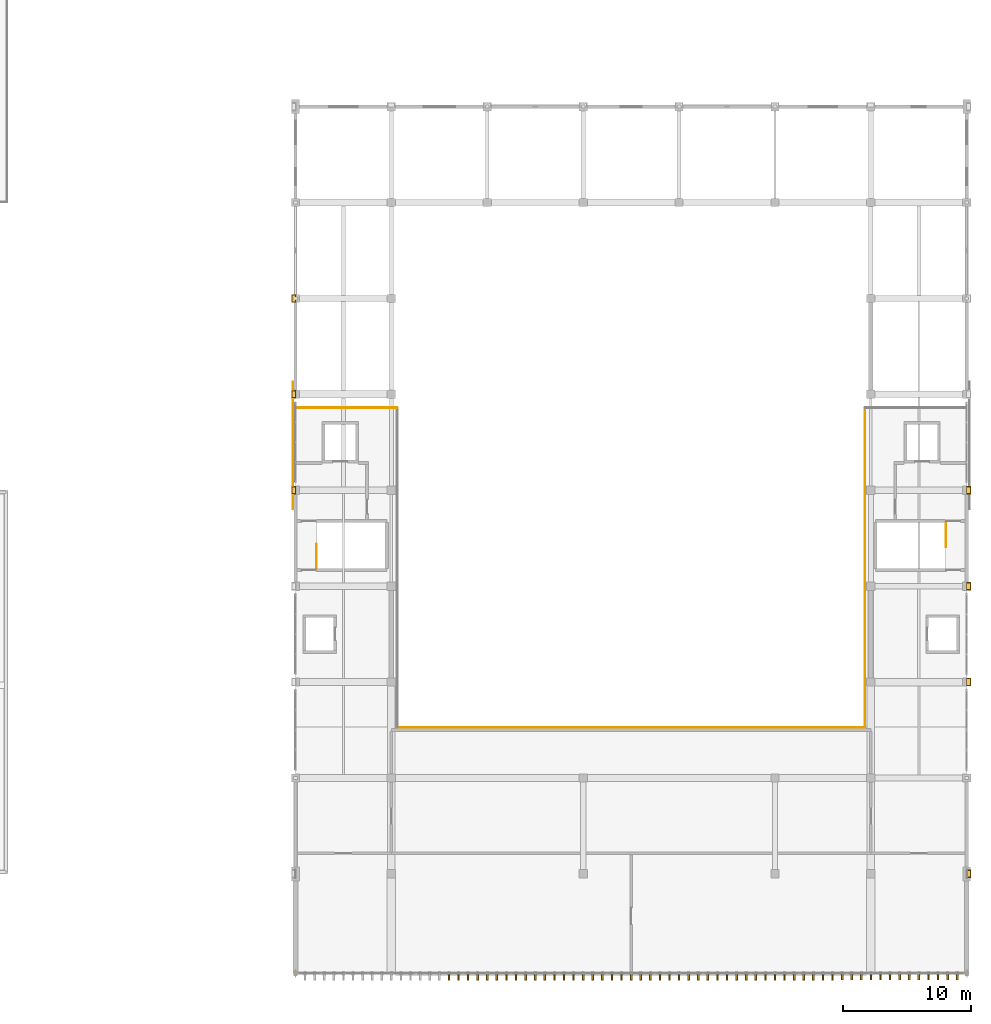
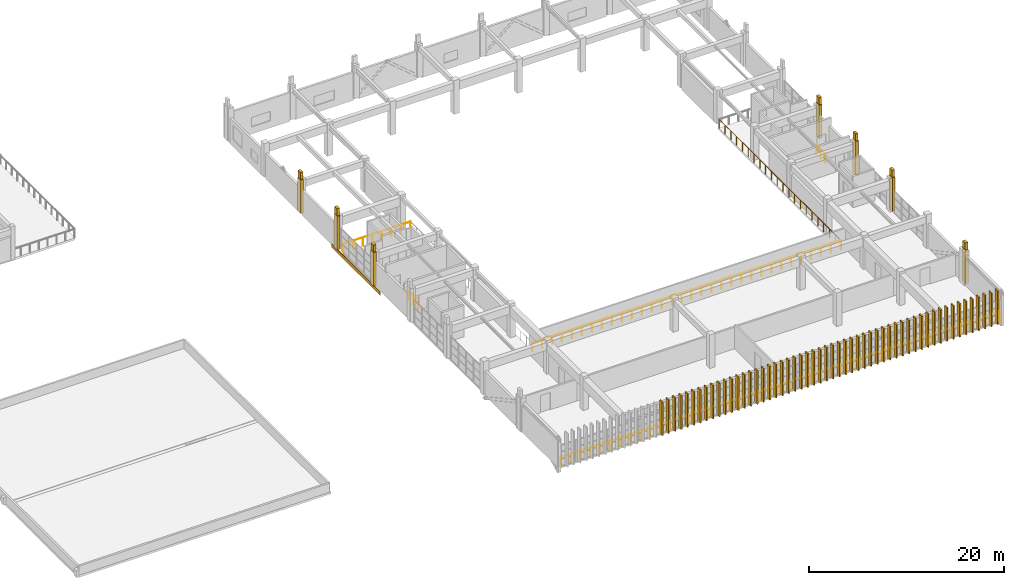
# One storey, part 46 of 51: 69 coverings, 7 railings.
"""IFC4 building model written with IfcOpenShell, lengths in metres."""

from ifc_helpers import new_model, si_unit, direction, frame, origin, origin_2d, place, context, subcontext, project, spatial, rectangle, circle, extrude, material, layer, layer_set, type_object, element, save


model = new_model("IFC4")

# Units and contexts
model_context = context("Model", 3, precision=1e-05, world=origin(), true_north=direction((0.0, 1.0)))
body_context = subcontext(model_context, "Body", "Model", "MODEL_VIEW")
ifc_project = project(units=[si_unit("LENGTHUNIT", "METRE"), si_unit("AREAUNIT", "SQUARE_METRE"), si_unit("VOLUMEUNIT", "CUBIC_METRE"), si_unit("PLANEANGLEUNIT", "RADIAN"), si_unit("MASSUNIT", "GRAM", prefix="KILO")], contexts=[model_context])

# Site, building, storey
site_placement = place(None, origin())
site = spatial("IfcSite", under=ifc_project, at=site_placement, CompositionType="ELEMENT")
building_placement = place(site_placement, origin())
building = spatial("IfcBuilding", under=site, at=building_placement, Name="Qasida Concert Hall", CompositionType="ELEMENT")
storey_placement = place(building_placement, frame((0.0, 0.0, 21.0)))
storey = spatial("IfcBuildingStorey", under=building, at=storey_placement, Name="L05", CompositionType="ELEMENT", Elevation=21.0)

# Coverings
ifc_material_1 = material(Name="Glazed Levantine geometric terracotta spandrel relief", Category="masonry")
ifc_layer_1 = layer(ifc_material_1, 0.050048828125, Name="Glazed Levantine geometric terracotta spandrel relief")
ifc_layer_set_1 = layer_set([ifc_layer_1], Name="Glazed Levantine geometric terracotta spandrel relief")
covering_type_1 = type_object("IfcCoveringType", Name="CV-CL-1", PredefinedType="CLADDING", material=ifc_layer_set_1)
covering_1_placement = place(storey_placement, frame((52.300048828125, 56.0, -0.47509765625), z_axis=(0.0, 0.0, 1.0), x_axis=(1.0, 0.0, 0.0)))
element("IfcCovering", 1, at=covering_1_placement, inside=storey, type_object=covering_type_1, Name="L05 terracotta spandrel frieze W05", PredefinedType="CLADDING", context=body_context, shape_type="SweptSolid", body=[
    extrude(rectangle(XDim=0.050048828125, YDim=10.0, at=origin_2d()), origin(), (0.0, 0.0, 1.0), 0.449951171875),
])
ifc_material_2 = material(Name="Fluted ochre Lebanese limestone and patinated bronze fin", Category="masonry")
ifc_layer_2 = layer(ifc_material_2, 0.52001953125, Name="Fluted ochre Lebanese limestone and patinated bronze fin")
ifc_layer_set_2 = layer_set([ifc_layer_2], Name="Fluted ochre Lebanese limestone and patinated bronze fin")
covering_type_2 = type_object("IfcCoveringType", Name="CV-FIN-520", PredefinedType="CLADDING", material=ifc_layer_set_2)
for number, where, z_axis, x_axis, name in (
    (2, (64.5, 14.4599609375, 0.0), (0.0, 0.0, 1.0), (1.0, 0.0, 0.0), "L05 fluted facade fin FN-016"),
    (3, (65.25, 14.4599609375, 0.0), (0.0, 0.0, 1.0), (1.0, 0.0, 0.0), "L05 fluted facade fin FN-017"),
    (4, (66.0, 14.4599609375, 0.0), (0.0, 0.0, 1.0), (1.0, 0.0, 0.0), "L05 fluted facade fin FN-018"),
    (5, (66.75, 14.4599609375, 0.0), (0.0, 0.0, 1.0), (1.0, 0.0, 0.0), "L05 fluted facade fin FN-019"),
    (6, (67.5, 14.4599609375, 0.0), (0.0, 0.0, 1.0), (1.0, 0.0, 0.0), "L05 fluted facade fin FN-020"),
    (7, (68.25, 14.4599609375, 0.0), (0.0, 0.0, 1.0), (1.0, 0.0, 0.0), "L05 fluted facade fin FN-021"),
    (8, (69.0, 14.4599609375, 0.0), (0.0, 0.0, 1.0), (1.0, 0.0, 0.0), "L05 fluted facade fin FN-022"),
    (9, (69.75, 14.4599609375, 0.0), (0.0, 0.0, 1.0), (1.0, 0.0, 0.0), "L05 fluted facade fin FN-023"),
    (10, (70.5, 14.4599609375, 0.0), (0.0, 0.0, 1.0), (1.0, 0.0, 0.0), "L05 fluted facade fin FN-024"),
    (11, (71.25, 14.4599609375, 0.0), (0.0, 0.0, 1.0), (1.0, 0.0, 0.0), "L05 fluted facade fin FN-025"),
    (12, (72.0, 14.4599609375, 0.0), (0.0, 0.0, 1.0), (1.0, 0.0, 0.0), "L05 fluted facade fin FN-026"),
    (13, (72.75, 14.4599609375, 0.0), (0.0, 0.0, 1.0), (1.0, 0.0, 0.0), "L05 fluted facade fin FN-027"),
    (14, (73.5, 14.4599609375, 0.0), (0.0, 0.0, 1.0), (1.0, 0.0, 0.0), "L05 fluted facade fin FN-028"),
    (15, (74.25, 14.4599609375, 0.0), (0.0, 0.0, 1.0), (1.0, 0.0, 0.0), "L05 fluted facade fin FN-029"),
    (16, (75.0, 14.4599609375, 0.0), (0.0, 0.0, 1.0), (1.0, 0.0, 0.0), "L05 fluted facade fin FN-030"),
    (17, (75.75, 14.4599609375, 0.0), (0.0, 0.0, 1.0), (1.0, 0.0, 0.0), "L05 fluted facade fin FN-031"),
    (18, (76.5, 14.4599609375, 0.0), (0.0, 0.0, 1.0), (1.0, 0.0, 0.0), "L05 fluted facade fin FN-032"),
    (19, (77.25, 14.4599609375, 0.0), (0.0, 0.0, 1.0), (1.0, 0.0, 0.0), "L05 fluted facade fin FN-033"),
    (20, (78.0, 14.4599609375, 0.0), (0.0, 0.0, 1.0), (1.0, 0.0, 0.0), "L05 fluted facade fin FN-034"),
    (21, (78.75, 14.4599609375, 0.0), (0.0, 0.0, 1.0), (1.0, 0.0, 0.0), "L05 fluted facade fin FN-035"),
    (22, (79.5, 14.4599609375, 0.0), (0.0, 0.0, 1.0), (1.0, 0.0, 0.0), "L05 fluted facade fin FN-036"),
    (23, (80.25, 14.4599609375, 0.0), (0.0, 0.0, 1.0), (1.0, 0.0, 0.0), "L05 fluted facade fin FN-037"),
    (24, (81.0, 14.4599609375, 0.0), (0.0, 0.0, 1.0), (1.0, 0.0, 0.0), "L05 fluted facade fin FN-038"),
    (25, (81.75, 14.4599609375, 0.0), (0.0, 0.0, 1.0), (1.0, 0.0, 0.0), "L05 fluted facade fin FN-039"),
    (26, (82.5, 14.4599609375, 0.0), (0.0, 0.0, 1.0), (1.0, 0.0, 0.0), "L05 fluted facade fin FN-040"),
    (27, (83.25, 14.4599609375, 0.0), (0.0, 0.0, 1.0), (1.0, 0.0, 0.0), "L05 fluted facade fin FN-041"),
    (28, (84.0, 14.4599609375, 0.0), (0.0, 0.0, 1.0), (1.0, 0.0, 0.0), "L05 fluted facade fin FN-042"),
    (29, (84.75, 14.4599609375, 0.0), (0.0, 0.0, 1.0), (1.0, 0.0, 0.0), "L05 fluted facade fin FN-043"),
    (30, (85.5, 14.4599609375, 0.0), (0.0, 0.0, 1.0), (1.0, 0.0, 0.0), "L05 fluted facade fin FN-044"),
    (31, (86.25, 14.4599609375, 0.0), (0.0, 0.0, 1.0), (1.0, 0.0, 0.0), "L05 fluted facade fin FN-045"),
    (32, (87.0, 14.4599609375, 0.0), (0.0, 0.0, 1.0), (1.0, 0.0, 0.0), "L05 fluted facade fin FN-046"),
    (33, (87.75, 14.4599609375, 0.0), (0.0, 0.0, 1.0), (1.0, 0.0, 0.0), "L05 fluted facade fin FN-047"),
    (34, (88.5, 14.4599609375, 0.0), (0.0, 0.0, 1.0), (1.0, 0.0, 0.0), "L05 fluted facade fin FN-048"),
    (35, (89.25, 14.4599609375, 0.0), (0.0, 0.0, 1.0), (1.0, 0.0, 0.0), "L05 fluted facade fin FN-049"),
    (36, (90.0, 14.4599609375, 0.0), (0.0, 0.0, 1.0), (1.0, 0.0, 0.0), "L05 fluted facade fin FN-050"),
    (37, (90.75, 14.4599609375, 0.0), (0.0, 0.0, 1.0), (1.0, 0.0, 0.0), "L05 fluted facade fin FN-051"),
    (38, (91.5, 14.4599609375, 0.0), (0.0, 0.0, 1.0), (1.0, 0.0, 0.0), "L05 fluted facade fin FN-052"),
    (39, (92.25, 14.4599609375, 0.0), (0.0, 0.0, 1.0), (1.0, 0.0, 0.0), "L05 fluted facade fin FN-053"),
    (40, (93.0, 14.4599609375, 0.0), (0.0, 0.0, 1.0), (1.0, 0.0, 0.0), "L05 fluted facade fin FN-054"),
    (41, (93.75, 14.4599609375, 0.0), (0.0, 0.0, 1.0), (1.0, 0.0, 0.0), "L05 fluted facade fin FN-055"),
    (42, (94.5, 14.4599609375, 0.0), (0.0, 0.0, 1.0), (1.0, 0.0, 0.0), "L05 fluted facade fin FN-056"),
    (43, (95.25, 14.4599609375, 0.0), (0.0, 0.0, 1.0), (1.0, 0.0, 0.0), "L05 fluted facade fin FN-057"),
    (44, (96.0, 14.4599609375, 0.0), (0.0, 0.0, 1.0), (1.0, 0.0, 0.0), "L05 fluted facade fin FN-058"),
    (45, (96.75, 14.4599609375, 0.0), (0.0, 0.0, 1.0), (1.0, 0.0, 0.0), "L05 fluted facade fin FN-059"),
    (46, (97.5, 14.4599609375, 0.0), (0.0, 0.0, 1.0), (1.0, 0.0, 0.0), "L05 fluted facade fin FN-060"),
    (47, (98.25, 14.4599609375, 0.0), (0.0, 0.0, 1.0), (1.0, 0.0, 0.0), "L05 fluted facade fin FN-061"),
    (48, (99.0, 14.4599609375, 0.0), (0.0, 0.0, 1.0), (1.0, 0.0, 0.0), "L05 fluted facade fin FN-062"),
    (49, (99.75, 14.4599609375, 0.0), (0.0, 0.0, 1.0), (1.0, 0.0, 0.0), "L05 fluted facade fin FN-063"),
    (50, (100.5, 14.4599609375, 0.0), (0.0, 0.0, 1.0), (1.0, 0.0, 0.0), "L05 fluted facade fin FN-064"),
    (51, (101.25, 14.4599609375, 0.0), (0.0, 0.0, 1.0), (1.0, 0.0, 0.0), "L05 fluted facade fin FN-065"),
    (52, (102.0, 14.4599609375, 0.0), (0.0, 0.0, 1.0), (1.0, 0.0, 0.0), "L05 fluted facade fin FN-066"),
    (53, (102.75, 14.4599609375, 0.0), (0.0, 0.0, 1.0), (1.0, 0.0, 0.0), "L05 fluted facade fin FN-067"),
    (54, (103.5, 14.4599609375, 0.0), (0.0, 0.0, 1.0), (1.0, 0.0, 0.0), "L05 fluted facade fin FN-068"),
    (55, (104.25, 14.4599609375, 0.0), (0.0, 0.0, 1.0), (1.0, 0.0, 0.0), "L05 fluted facade fin FN-069"),
):
    element("IfcCovering", number, at=place(storey_placement, frame(where, z_axis=z_axis, x_axis=x_axis)), inside=storey, type_object=covering_type_2, Name=name, PredefinedType="CLADDING", context=body_context, shape_type="SweptSolid", body=[
        extrude(rectangle(XDim=0.139892578125, YDim=0.52001953125, at=origin_2d()), origin(), (0.0, 0.0, 1.0), 4.199951171875),
    ])
ifc_material_3 = material(Name="Projecting fluted Lebanese limestone Art Deco pilaster", Category="masonry")
ifc_layer_3 = layer(ifc_material_3, 0.35009765625, Name="Projecting fluted Lebanese limestone Art Deco pilaster")
ifc_layer_set_3 = layer_set([ifc_layer_3], Name="Projecting fluted Lebanese limestone Art Deco pilaster")
covering_type_3 = type_object("IfcCoveringType", Name="CV-PIL-650", PredefinedType="CLADDING", material=ifc_layer_set_3)
covering_2_placement = place(storey_placement, frame((105.135009765625, 22.5, 0.0), z_axis=(0.0, 0.0, 1.0), x_axis=(1.0, 0.0, 0.0)))
element("IfcCovering", 56, at=covering_2_placement, inside=storey, type_object=covering_type_3, Name="L05 fluted limestone pilaster 0013", PredefinedType="CLADDING", context=body_context, shape_type="SweptSolid", body=[
    extrude(rectangle(XDim=0.35009765625, YDim=0.64990234375, at=origin_2d()), origin(), (0.0, 0.0, 1.0), 4.199951171875),
])
covering_3_placement = place(storey_placement, frame((105.135009765625, 22.5, 4.199951171875), z_axis=(0.0, 0.0, 1.0), x_axis=(1.0, 0.0, 0.0)))
element("IfcCovering", 57, at=covering_3_placement, inside=storey, type_object=covering_type_3, Name="Stepped Art Deco pier finial 0014", PredefinedType="CLADDING", context=body_context, shape_type="SweptSolid", body=[
    extrude(rectangle(XDim=0.300048828125, YDim=0.52001953125, at=origin_2d()), origin(), (0.0, 0.0, 1.0), 0.89990234375),
])
covering_4_placement = place(storey_placement, frame((105.135009765625, 37.5, 0.0), z_axis=(0.0, 0.0, 1.0), x_axis=(1.0, 0.0, 0.0)))
element("IfcCovering", 58, at=covering_4_placement, inside=storey, type_object=covering_type_3, Name="L05 fluted limestone pilaster 0027", PredefinedType="CLADDING", context=body_context, shape_type="SweptSolid", body=[
    extrude(rectangle(XDim=0.35009765625, YDim=0.64990234375, at=origin_2d()), origin(), (0.0, 0.0, 1.0), 4.199951171875),
])
covering_5_placement = place(storey_placement, frame((105.135009765625, 37.5, 4.199951171875), z_axis=(0.0, 0.0, 1.0), x_axis=(1.0, 0.0, 0.0)))
element("IfcCovering", 59, at=covering_5_placement, inside=storey, type_object=covering_type_3, Name="Stepped Art Deco pier finial 0028", PredefinedType="CLADDING", context=body_context, shape_type="SweptSolid", body=[
    extrude(rectangle(XDim=0.300048828125, YDim=0.52001953125, at=origin_2d()), origin(), (0.0, 0.0, 1.0), 0.89990234375),
])
covering_6_placement = place(storey_placement, frame((105.135009765625, 45.0, 0.0), z_axis=(0.0, 0.0, 1.0), x_axis=(1.0, 0.0, 0.0)))
element("IfcCovering", 60, at=covering_6_placement, inside=storey, type_object=covering_type_3, Name="L05 fluted limestone pilaster 0041", PredefinedType="CLADDING", context=body_context, shape_type="SweptSolid", body=[
    extrude(rectangle(XDim=0.35009765625, YDim=0.64990234375, at=origin_2d()), origin(), (0.0, 0.0, 1.0), 4.199951171875),
])
covering_7_placement = place(storey_placement, frame((105.135009765625, 45.0, 4.199951171875), z_axis=(0.0, 0.0, 1.0), x_axis=(1.0, 0.0, 0.0)))
element("IfcCovering", 61, at=covering_7_placement, inside=storey, type_object=covering_type_3, Name="Stepped Art Deco pier finial 0042", PredefinedType="CLADDING", context=body_context, shape_type="SweptSolid", body=[
    extrude(rectangle(XDim=0.300048828125, YDim=0.52001953125, at=origin_2d()), origin(), (0.0, 0.0, 1.0), 0.89990234375),
])
covering_8_placement = place(storey_placement, frame((52.364990234375, 52.5, 0.0), z_axis=(0.0, 0.0, 1.0), x_axis=(1.0, 0.0, 0.0)))
element("IfcCovering", 62, at=covering_8_placement, inside=storey, type_object=covering_type_3, Name="L05 fluted limestone pilaster 0048", PredefinedType="CLADDING", context=body_context, shape_type="SweptSolid", body=[
    extrude(rectangle(XDim=0.35009765625, YDim=0.64990234375, at=origin_2d()), origin(), (0.0, 0.0, 1.0), 4.199951171875),
])
covering_9_placement = place(storey_placement, frame((52.364990234375, 52.5, 4.199951171875), z_axis=(0.0, 0.0, 1.0), x_axis=(1.0, 0.0, 0.0)))
element("IfcCovering", 63, at=covering_9_placement, inside=storey, type_object=covering_type_3, Name="Stepped Art Deco pier finial 0049", PredefinedType="CLADDING", context=body_context, shape_type="SweptSolid", body=[
    extrude(rectangle(XDim=0.300048828125, YDim=0.52001953125, at=origin_2d()), origin(), (0.0, 0.0, 1.0), 0.89990234375),
])
covering_10_placement = place(storey_placement, frame((105.135009765625, 52.5, 0.0), z_axis=(0.0, 0.0, 1.0), x_axis=(1.0, 0.0, 0.0)))
element("IfcCovering", 64, at=covering_10_placement, inside=storey, type_object=covering_type_3, Name="L05 fluted limestone pilaster 0055", PredefinedType="CLADDING", context=body_context, shape_type="SweptSolid", body=[
    extrude(rectangle(XDim=0.35009765625, YDim=0.64990234375, at=origin_2d()), origin(), (0.0, 0.0, 1.0), 4.199951171875),
])
covering_11_placement = place(storey_placement, frame((105.135009765625, 52.5, 4.199951171875), z_axis=(0.0, 0.0, 1.0), x_axis=(1.0, 0.0, 0.0)))
element("IfcCovering", 65, at=covering_11_placement, inside=storey, type_object=covering_type_3, Name="Stepped Art Deco pier finial 0056", PredefinedType="CLADDING", context=body_context, shape_type="SweptSolid", body=[
    extrude(rectangle(XDim=0.300048828125, YDim=0.52001953125, at=origin_2d()), origin(), (0.0, 0.0, 1.0), 0.89990234375),
])
covering_12_placement = place(storey_placement, frame((52.364990234375, 60.0, 0.0), z_axis=(0.0, 0.0, 1.0), x_axis=(1.0, 0.0, 0.0)))
element("IfcCovering", 66, at=covering_12_placement, inside=storey, type_object=covering_type_3, Name="L05 fluted limestone pilaster 0062", PredefinedType="CLADDING", context=body_context, shape_type="SweptSolid", body=[
    extrude(rectangle(XDim=0.35009765625, YDim=0.64990234375, at=origin_2d()), origin(), (0.0, 0.0, 1.0), 4.199951171875),
])
covering_13_placement = place(storey_placement, frame((52.364990234375, 60.0, 4.199951171875), z_axis=(0.0, 0.0, 1.0), x_axis=(1.0, 0.0, 0.0)))
element("IfcCovering", 67, at=covering_13_placement, inside=storey, type_object=covering_type_3, Name="Stepped Art Deco pier finial 0063", PredefinedType="CLADDING", context=body_context, shape_type="SweptSolid", body=[
    extrude(rectangle(XDim=0.300048828125, YDim=0.52001953125, at=origin_2d()), origin(), (0.0, 0.0, 1.0), 0.89990234375),
])
covering_14_placement = place(storey_placement, frame((52.364990234375, 67.5, 0.0), z_axis=(0.0, 0.0, 1.0), x_axis=(1.0, 0.0, 0.0)))
element("IfcCovering", 68, at=covering_14_placement, inside=storey, type_object=covering_type_3, Name="L05 fluted limestone pilaster 0076", PredefinedType="CLADDING", context=body_context, shape_type="SweptSolid", body=[
    extrude(rectangle(XDim=0.35009765625, YDim=0.64990234375, at=origin_2d()), origin(), (0.0, 0.0, 1.0), 4.199951171875),
])
covering_15_placement = place(storey_placement, frame((52.364990234375, 67.5, 4.199951171875), z_axis=(0.0, 0.0, 1.0), x_axis=(1.0, 0.0, 0.0)))
element("IfcCovering", 69, at=covering_15_placement, inside=storey, type_object=covering_type_3, Name="Stepped Art Deco pier finial 0077", PredefinedType="CLADDING", context=body_context, shape_type="SweptSolid", body=[
    extrude(rectangle(XDim=0.300048828125, YDim=0.52001953125, at=origin_2d()), origin(), (0.0, 0.0, 1.0), 0.89990234375),
])

# Railings
ifc_material_4 = material(Name="Patinated architectural bronze and laminated glass infill", Category="glass")
ifc_layer_4 = layer(ifc_material_4, 0.080078125, Name="Patinated architectural bronze and laminated glass infill")
ifc_layer_set_4 = layer_set([ifc_layer_4], Name="Patinated architectural bronze and laminated glass infill")
railing_type = type_object("IfcRailingType", Name="RL-GRD-1100", PredefinedType="GUARDRAIL", material=ifc_layer_set_4)
railing_1_placement = place(storey_placement, frame((52.699951171875, 14.760009765625, 0.0)))
element("IfcRailing", 70, at=railing_1_placement, inside=storey, type_object=railing_type, Name="L05 South overhang west gallery guard 0022", PredefinedType="GUARDRAIL", context=body_context, shape_type="SweptSolid", body=[
    extrude(circle(Radius=0.02392578125, at=origin_2d()), frame((0.0, 0.0, 1.09619140625), z_axis=(1.0, 0.0, 0.0), x_axis=(0.0, 1.0, 0.0)), (0.0, 0.0, 1.0), 25.929931640625),
    extrude(circle(Radius=0.02099609375, at=origin_2d()), origin(), (0.0, 0.0, 1.0), 1.072021484375),
    extrude(circle(Radius=0.02099609375, at=origin_2d()), frame((1.1787109375, 0.0, 0.0)), (0.0, 0.0, 1.0), 1.072021484375),
    extrude(circle(Radius=0.02099609375, at=origin_2d()), frame((2.357177734375, 0.0, 0.0)), (0.0, 0.0, 1.0), 1.072021484375),
    extrude(circle(Radius=0.02099609375, at=origin_2d()), frame((3.535888671875, 0.0, 0.0)), (0.0, 0.0, 1.0), 1.072021484375),
    extrude(circle(Radius=0.02099609375, at=origin_2d()), frame((4.714599609375, 0.0, 0.0)), (0.0, 0.0, 1.0), 1.072021484375),
    extrude(circle(Radius=0.02099609375, at=origin_2d()), frame((5.89306640625, 0.0, 0.0)), (0.0, 0.0, 1.0), 1.072021484375),
    extrude(circle(Radius=0.02099609375, at=origin_2d()), frame((7.07177734375, 0.0, 0.0)), (0.0, 0.0, 1.0), 1.072021484375),
    extrude(circle(Radius=0.02099609375, at=origin_2d()), frame((8.25048828125, 0.0, 0.0)), (0.0, 0.0, 1.0), 1.072021484375),
    extrude(circle(Radius=0.02099609375, at=origin_2d()), frame((9.428955078125, 0.0, 0.0)), (0.0, 0.0, 1.0), 1.072021484375),
    extrude(circle(Radius=0.02099609375, at=origin_2d()), frame((10.607666015625, 0.0, 0.0)), (0.0, 0.0, 1.0), 1.072021484375),
    extrude(circle(Radius=0.02099609375, at=origin_2d()), frame((11.786376953125, 0.0, 0.0)), (0.0, 0.0, 1.0), 1.072021484375),
    extrude(circle(Radius=0.02099609375, at=origin_2d()), frame((12.96484375, 0.0, 0.0)), (0.0, 0.0, 1.0), 1.072021484375),
    extrude(circle(Radius=0.02099609375, at=origin_2d()), frame((14.1435546875, 0.0, 0.0)), (0.0, 0.0, 1.0), 1.072021484375),
    extrude(circle(Radius=0.02099609375, at=origin_2d()), frame((15.322265625, 0.0, 0.0)), (0.0, 0.0, 1.0), 1.072021484375),
    extrude(circle(Radius=0.02099609375, at=origin_2d()), frame((16.5009765625, 0.0, 0.0)), (0.0, 0.0, 1.0), 1.072021484375),
    extrude(circle(Radius=0.02099609375, at=origin_2d()), frame((17.679443359375, 0.0, 0.0)), (0.0, 0.0, 1.0), 1.072021484375),
    extrude(circle(Radius=0.02099609375, at=origin_2d()), frame((18.858154296875, 0.0, 0.0)), (0.0, 0.0, 1.0), 1.072021484375),
    extrude(circle(Radius=0.02099609375, at=origin_2d()), frame((20.036865234375, 0.0, 0.0)), (0.0, 0.0, 1.0), 1.072021484375),
    extrude(circle(Radius=0.02099609375, at=origin_2d()), frame((21.21533203125, 0.0, 0.0)), (0.0, 0.0, 1.0), 1.072021484375),
    extrude(circle(Radius=0.02099609375, at=origin_2d()), frame((22.39404296875, 0.0, 0.0)), (0.0, 0.0, 1.0), 1.072021484375),
    extrude(circle(Radius=0.02099609375, at=origin_2d()), frame((23.57275390625, 0.0, 0.0)), (0.0, 0.0, 1.0), 1.072021484375),
    extrude(circle(Radius=0.02099609375, at=origin_2d()), frame((24.751220703125, 0.0, 0.0)), (0.0, 0.0, 1.0), 1.072021484375),
    extrude(circle(Radius=0.02099609375, at=origin_2d()), frame((25.929931640625, 0.0, 0.0)), (0.0, 0.0, 1.0), 1.072021484375),
])
railing_2_placement = place(storey_placement, frame((78.8701171875, 14.760009765625, 0.0)))
element("IfcRailing", 71, at=railing_2_placement, inside=storey, type_object=railing_type, Name="L05 South overhang east gallery guard 0023", PredefinedType="GUARDRAIL", context=body_context, shape_type="SweptSolid", body=[
    extrude(circle(Radius=0.02392578125, at=origin_2d()), frame((0.0, 0.0, 1.09619140625), z_axis=(1.0, 0.0, 0.0), x_axis=(0.0, 1.0, 0.0)), (0.0, 0.0, 1.0), 25.929931640625),
    extrude(circle(Radius=0.02099609375, at=origin_2d()), origin(), (0.0, 0.0, 1.0), 1.072021484375),
    extrude(circle(Radius=0.02099609375, at=origin_2d()), frame((1.1787109375, 0.0, 0.0)), (0.0, 0.0, 1.0), 1.072021484375),
    extrude(circle(Radius=0.02099609375, at=origin_2d()), frame((2.357177734375, 0.0, 0.0)), (0.0, 0.0, 1.0), 1.072021484375),
    extrude(circle(Radius=0.02099609375, at=origin_2d()), frame((3.535888671875, 0.0, 0.0)), (0.0, 0.0, 1.0), 1.072021484375),
    extrude(circle(Radius=0.02099609375, at=origin_2d()), frame((4.714599609375, 0.0, 0.0)), (0.0, 0.0, 1.0), 1.072021484375),
    extrude(circle(Radius=0.02099609375, at=origin_2d()), frame((5.89306640625, 0.0, 0.0)), (0.0, 0.0, 1.0), 1.072021484375),
    extrude(circle(Radius=0.02099609375, at=origin_2d()), frame((7.07177734375, 0.0, 0.0)), (0.0, 0.0, 1.0), 1.072021484375),
    extrude(circle(Radius=0.02099609375, at=origin_2d()), frame((8.25048828125, 0.0, 0.0)), (0.0, 0.0, 1.0), 1.072021484375),
    extrude(circle(Radius=0.02099609375, at=origin_2d()), frame((9.428955078125, 0.0, 0.0)), (0.0, 0.0, 1.0), 1.072021484375),
    extrude(circle(Radius=0.02099609375, at=origin_2d()), frame((10.607666015625, 0.0, 0.0)), (0.0, 0.0, 1.0), 1.072021484375),
    extrude(circle(Radius=0.02099609375, at=origin_2d()), frame((11.786376953125, 0.0, 0.0)), (0.0, 0.0, 1.0), 1.072021484375),
    extrude(circle(Radius=0.02099609375, at=origin_2d()), frame((12.96484375, 0.0, 0.0)), (0.0, 0.0, 1.0), 1.072021484375),
    extrude(circle(Radius=0.02099609375, at=origin_2d()), frame((14.1435546875, 0.0, 0.0)), (0.0, 0.0, 1.0), 1.072021484375),
    extrude(circle(Radius=0.02099609375, at=origin_2d()), frame((15.322265625, 0.0, 0.0)), (0.0, 0.0, 1.0), 1.072021484375),
    extrude(circle(Radius=0.02099609375, at=origin_2d()), frame((16.5009765625, 0.0, 0.0)), (0.0, 0.0, 1.0), 1.072021484375),
    extrude(circle(Radius=0.02099609375, at=origin_2d()), frame((17.679443359375, 0.0, 0.0)), (0.0, 0.0, 1.0), 1.072021484375),
    extrude(circle(Radius=0.02099609375, at=origin_2d()), frame((18.858154296875, 0.0, 0.0)), (0.0, 0.0, 1.0), 1.072021484375),
    extrude(circle(Radius=0.02099609375, at=origin_2d()), frame((20.036865234375, 0.0, 0.0)), (0.0, 0.0, 1.0), 1.072021484375),
    extrude(circle(Radius=0.02099609375, at=origin_2d()), frame((21.21533203125, 0.0, 0.0)), (0.0, 0.0, 1.0), 1.072021484375),
    extrude(circle(Radius=0.02099609375, at=origin_2d()), frame((22.39404296875, 0.0, 0.0)), (0.0, 0.0, 1.0), 1.072021484375),
    extrude(circle(Radius=0.02099609375, at=origin_2d()), frame((23.57275390625, 0.0, 0.0)), (0.0, 0.0, 1.0), 1.072021484375),
    extrude(circle(Radius=0.02099609375, at=origin_2d()), frame((24.751220703125, 0.0, 0.0)), (0.0, 0.0, 1.0), 1.072021484375),
    extrude(circle(Radius=0.02099609375, at=origin_2d()), frame((25.929931640625, 0.0, 0.0)), (0.0, 0.0, 1.0), 1.072021484375),
])
railing_3_placement = place(storey_placement, frame((52.550048828125, 58.949951171875, 0.0)))
element("IfcRailing", 72, at=railing_3_placement, inside=storey, type_object=railing_type, Name="L05 Symphony upper gallery guardrail 0118", PredefinedType="GUARDRAIL", context=body_context, shape_type="SweptSolid", body=[
    extrude(circle(Radius=0.02392578125, at=origin_2d()), frame((0.0, 0.0, 1.09619140625), z_axis=(1.0, 0.0, 0.0), x_axis=(0.0, 1.0, 0.0)), (0.0, 0.0, 1.0), 7.909912109375),
    extrude(circle(Radius=0.02099609375, at=origin_2d()), origin(), (0.0, 0.0, 1.0), 1.072021484375),
    extrude(circle(Radius=0.02099609375, at=origin_2d()), frame((1.1298828125, 0.0, 0.0)), (0.0, 0.0, 1.0), 1.072021484375),
    extrude(circle(Radius=0.02099609375, at=origin_2d()), frame((2.260009765625, 0.0, 0.0)), (0.0, 0.0, 1.0), 1.072021484375),
    extrude(circle(Radius=0.02099609375, at=origin_2d()), frame((3.389892578125, 0.0, 0.0)), (0.0, 0.0, 1.0), 1.072021484375),
    extrude(circle(Radius=0.02099609375, at=origin_2d()), frame((4.52001953125, 0.0, 0.0)), (0.0, 0.0, 1.0), 1.072021484375),
    extrude(circle(Radius=0.02099609375, at=origin_2d()), frame((5.64990234375, 0.0, 0.0)), (0.0, 0.0, 1.0), 1.072021484375),
    extrude(circle(Radius=0.02099609375, at=origin_2d()), frame((6.780029296875, 0.0, 0.0)), (0.0, 0.0, 1.0), 1.072021484375),
    extrude(circle(Radius=0.02099609375, at=origin_2d()), frame((7.909912109375, 0.0, 0.0)), (0.0, 0.0, 1.0), 1.072021484375),
])
railing_4_placement = place(storey_placement, frame((60.4599609375, 33.9599609375, 0.0)))
element("IfcRailing", 73, at=railing_4_placement, inside=storey, type_object=railing_type, Name="L05 Symphony upper gallery guardrail 0120", PredefinedType="GUARDRAIL", context=body_context, shape_type="SweptSolid", body=[
    extrude(circle(Radius=0.02392578125, at=origin_2d()), frame((0.0, 0.0, 1.09619140625), z_axis=(1.0, 0.0, 0.0), x_axis=(0.0, 1.0, 0.0)), (0.0, 0.0, 1.0), 36.580078125),
    extrude(circle(Radius=0.02099609375, at=origin_2d()), origin(), (0.0, 0.0, 1.0), 1.072021484375),
    extrude(circle(Radius=0.02099609375, at=origin_2d()), frame((1.179931640625, 0.0, 0.0)), (0.0, 0.0, 1.0), 1.072021484375),
    extrude(circle(Radius=0.02099609375, at=origin_2d()), frame((2.360107421875, 0.0, 0.0)), (0.0, 0.0, 1.0), 1.072021484375),
    extrude(circle(Radius=0.02099609375, at=origin_2d()), frame((3.5400390625, 0.0, 0.0)), (0.0, 0.0, 1.0), 1.072021484375),
    extrude(circle(Radius=0.02099609375, at=origin_2d()), frame((4.719970703125, 0.0, 0.0)), (0.0, 0.0, 1.0), 1.072021484375),
    extrude(circle(Radius=0.02099609375, at=origin_2d()), frame((5.89990234375, 0.0, 0.0)), (0.0, 0.0, 1.0), 1.072021484375),
    extrude(circle(Radius=0.02099609375, at=origin_2d()), frame((7.080078125, 0.0, 0.0)), (0.0, 0.0, 1.0), 1.072021484375),
    extrude(circle(Radius=0.02099609375, at=origin_2d()), frame((8.260009765625, 0.0, 0.0)), (0.0, 0.0, 1.0), 1.072021484375),
    extrude(circle(Radius=0.02099609375, at=origin_2d()), frame((9.43994140625, 0.0, 0.0)), (0.0, 0.0, 1.0), 1.072021484375),
    extrude(circle(Radius=0.02099609375, at=origin_2d()), frame((10.6201171875, 0.0, 0.0)), (0.0, 0.0, 1.0), 1.072021484375),
    extrude(circle(Radius=0.02099609375, at=origin_2d()), frame((11.800048828125, 0.0, 0.0)), (0.0, 0.0, 1.0), 1.072021484375),
    extrude(circle(Radius=0.02099609375, at=origin_2d()), frame((12.97998046875, 0.0, 0.0)), (0.0, 0.0, 1.0), 1.072021484375),
    extrude(circle(Radius=0.02099609375, at=origin_2d()), frame((14.159912109375, 0.0, 0.0)), (0.0, 0.0, 1.0), 1.072021484375),
    extrude(circle(Radius=0.02099609375, at=origin_2d()), frame((15.340087890625, 0.0, 0.0)), (0.0, 0.0, 1.0), 1.072021484375),
    extrude(circle(Radius=0.02099609375, at=origin_2d()), frame((16.52001953125, 0.0, 0.0)), (0.0, 0.0, 1.0), 1.072021484375),
    extrude(circle(Radius=0.02099609375, at=origin_2d()), frame((17.699951171875, 0.0, 0.0)), (0.0, 0.0, 1.0), 1.072021484375),
    extrude(circle(Radius=0.02099609375, at=origin_2d()), frame((18.880126953125, 0.0, 0.0)), (0.0, 0.0, 1.0), 1.072021484375),
    extrude(circle(Radius=0.02099609375, at=origin_2d()), frame((20.06005859375, 0.0, 0.0)), (0.0, 0.0, 1.0), 1.072021484375),
    extrude(circle(Radius=0.02099609375, at=origin_2d()), frame((21.239990234375, 0.0, 0.0)), (0.0, 0.0, 1.0), 1.072021484375),
    extrude(circle(Radius=0.02099609375, at=origin_2d()), frame((22.420166015625, 0.0, 0.0)), (0.0, 0.0, 1.0), 1.072021484375),
    extrude(circle(Radius=0.02099609375, at=origin_2d()), frame((23.60009765625, 0.0, 0.0)), (0.0, 0.0, 1.0), 1.072021484375),
    extrude(circle(Radius=0.02099609375, at=origin_2d()), frame((24.780029296875, 0.0, 0.0)), (0.0, 0.0, 1.0), 1.072021484375),
    extrude(circle(Radius=0.02099609375, at=origin_2d()), frame((25.9599609375, 0.0, 0.0)), (0.0, 0.0, 1.0), 1.072021484375),
    extrude(circle(Radius=0.02099609375, at=origin_2d()), frame((27.14013671875, 0.0, 0.0)), (0.0, 0.0, 1.0), 1.072021484375),
    extrude(circle(Radius=0.02099609375, at=origin_2d()), frame((28.320068359375, 0.0, 0.0)), (0.0, 0.0, 1.0), 1.072021484375),
    extrude(circle(Radius=0.02099609375, at=origin_2d()), frame((29.5, 0.0, 0.0)), (0.0, 0.0, 1.0), 1.072021484375),
    extrude(circle(Radius=0.02099609375, at=origin_2d()), frame((30.68017578125, 0.0, 0.0)), (0.0, 0.0, 1.0), 1.072021484375),
    extrude(circle(Radius=0.02099609375, at=origin_2d()), frame((31.860107421875, 0.0, 0.0)), (0.0, 0.0, 1.0), 1.072021484375),
    extrude(circle(Radius=0.02099609375, at=origin_2d()), frame((33.0400390625, 0.0, 0.0)), (0.0, 0.0, 1.0), 1.072021484375),
    extrude(circle(Radius=0.02099609375, at=origin_2d()), frame((34.219970703125, 0.0, 0.0)), (0.0, 0.0, 1.0), 1.072021484375),
    extrude(circle(Radius=0.02099609375, at=origin_2d()), frame((35.400146484375, 0.0, 0.0)), (0.0, 0.0, 1.0), 1.072021484375),
    extrude(circle(Radius=0.02099609375, at=origin_2d()), frame((36.580078125, 0.0, 0.0)), (0.0, 0.0, 1.0), 1.072021484375),
])
railing_5_placement = place(storey_placement, frame((97.0400390625, 33.9599609375, 0.0)))
element("IfcRailing", 74, at=railing_5_placement, inside=storey, type_object=railing_type, Name="L05 Symphony upper gallery guardrail 0121", PredefinedType="GUARDRAIL", context=body_context, shape_type="SweptSolid", body=[
    extrude(circle(Radius=0.02392578125, at=origin_2d()), frame((0.0, 0.0, 1.09619140625), z_axis=(0.0, 1.0, 0.0), x_axis=(-1.0, 0.0, 0.0)), (0.0, 0.0, 1.0), 24.989990234375),
    extrude(circle(Radius=0.02099609375, at=origin_2d()), origin(), (0.0, 0.0, 1.0), 1.072021484375),
    extrude(circle(Radius=0.02099609375, at=origin_2d()), frame((0.0, 1.18994140625, 0.0)), (0.0, 0.0, 1.0), 1.072021484375),
    extrude(circle(Radius=0.02099609375, at=origin_2d()), frame((0.0, 2.3798828125, 0.0)), (0.0, 0.0, 1.0), 1.072021484375),
    extrude(circle(Radius=0.02099609375, at=origin_2d()), frame((0.0, 3.570068359375, 0.0)), (0.0, 0.0, 1.0), 1.072021484375),
    extrude(circle(Radius=0.02099609375, at=origin_2d()), frame((0.0, 4.760009765625, 0.0)), (0.0, 0.0, 1.0), 1.072021484375),
    extrude(circle(Radius=0.02099609375, at=origin_2d()), frame((0.0, 5.949951171875, 0.0)), (0.0, 0.0, 1.0), 1.072021484375),
    extrude(circle(Radius=0.02099609375, at=origin_2d()), frame((0.0, 7.139892578125, 0.0)), (0.0, 0.0, 1.0), 1.072021484375),
    extrude(circle(Radius=0.02099609375, at=origin_2d()), frame((0.0, 8.330078125, 0.0)), (0.0, 0.0, 1.0), 1.072021484375),
    extrude(circle(Radius=0.02099609375, at=origin_2d()), frame((0.0, 9.52001953125, 0.0)), (0.0, 0.0, 1.0), 1.072021484375),
    extrude(circle(Radius=0.02099609375, at=origin_2d()), frame((0.0, 10.7099609375, 0.0)), (0.0, 0.0, 1.0), 1.072021484375),
    extrude(circle(Radius=0.02099609375, at=origin_2d()), frame((0.0, 11.89990234375, 0.0)), (0.0, 0.0, 1.0), 1.072021484375),
    extrude(circle(Radius=0.02099609375, at=origin_2d()), frame((0.0, 13.090087890625, 0.0)), (0.0, 0.0, 1.0), 1.072021484375),
    extrude(circle(Radius=0.02099609375, at=origin_2d()), frame((0.0, 14.280029296875, 0.0)), (0.0, 0.0, 1.0), 1.072021484375),
    extrude(circle(Radius=0.02099609375, at=origin_2d()), frame((0.0, 15.469970703125, 0.0)), (0.0, 0.0, 1.0), 1.072021484375),
    extrude(circle(Radius=0.02099609375, at=origin_2d()), frame((0.0, 16.659912109375, 0.0)), (0.0, 0.0, 1.0), 1.072021484375),
    extrude(circle(Radius=0.02099609375, at=origin_2d()), frame((0.0, 17.85009765625, 0.0)), (0.0, 0.0, 1.0), 1.072021484375),
    extrude(circle(Radius=0.02099609375, at=origin_2d()), frame((0.0, 19.0400390625, 0.0)), (0.0, 0.0, 1.0), 1.072021484375),
    extrude(circle(Radius=0.02099609375, at=origin_2d()), frame((0.0, 20.22998046875, 0.0)), (0.0, 0.0, 1.0), 1.072021484375),
    extrude(circle(Radius=0.02099609375, at=origin_2d()), frame((0.0, 21.419921875, 0.0)), (0.0, 0.0, 1.0), 1.072021484375),
    extrude(circle(Radius=0.02099609375, at=origin_2d()), frame((0.0, 22.610107421875, 0.0)), (0.0, 0.0, 1.0), 1.072021484375),
    extrude(circle(Radius=0.02099609375, at=origin_2d()), frame((0.0, 23.800048828125, 0.0)), (0.0, 0.0, 1.0), 1.072021484375),
    extrude(circle(Radius=0.02099609375, at=origin_2d()), frame((0.0, 24.989990234375, 0.0)), (0.0, 0.0, 1.0), 1.072021484375),
])
railing_6_placement = place(storey_placement, frame((54.1298828125, 46.39990234375, 0.0)))
element("IfcRailing", 75, at=railing_6_placement, inside=storey, type_object=railing_type, Name="L05 ST-01 top well guard 1", PredefinedType="GUARDRAIL", context=body_context, shape_type="SweptSolid", body=[
    extrude(circle(Radius=0.02392578125, at=origin_2d()), frame((0.0, 0.0, 1.076171875), z_axis=(0.0, 1.0, 0.0), x_axis=(-1.0, 0.0, 0.0)), (0.0, 0.0, 1.0), 1.880126953125),
    extrude(circle(Radius=0.02099609375, at=origin_2d()), origin(), (0.0, 0.0, 1.0), 1.052001953125),
    extrude(circle(Radius=0.02099609375, at=origin_2d()), frame((0.0, 0.93994140625, 0.0)), (0.0, 0.0, 1.0), 1.052001953125),
    extrude(circle(Radius=0.02099609375, at=origin_2d()), frame((0.0, 1.880126953125, 0.0)), (0.0, 0.0, 1.0), 1.052001953125),
])
railing_7_placement = place(storey_placement, frame((103.3701171875, 49.9599609375, 0.0)))
element("IfcRailing", 76, at=railing_7_placement, inside=storey, type_object=railing_type, Name="L05 ST-02 top well guard 1", PredefinedType="GUARDRAIL", context=body_context, shape_type="SweptSolid", body=[
    extrude(circle(Radius=0.02392578125, at=origin_2d()), frame((0.0, 0.0, 1.076171875), z_axis=(0.0, -1.0, 0.0), x_axis=(1.0, 0.0, 0.0)), (0.0, 0.0, 1.0), 1.8798828125),
    extrude(circle(Radius=0.02099609375, at=origin_2d()), origin(), (0.0, 0.0, 1.0), 1.052001953125),
    extrude(circle(Radius=0.02099609375, at=origin_2d()), frame((0.0, -0.93994140625, 0.0)), (0.0, 0.0, 1.0), 1.052001953125),
    extrude(circle(Radius=0.02099609375, at=origin_2d()), frame((0.0, -1.8798828125, 0.0)), (0.0, 0.0, 1.0), 1.052001953125),
])

save(model, "model.ifc")
